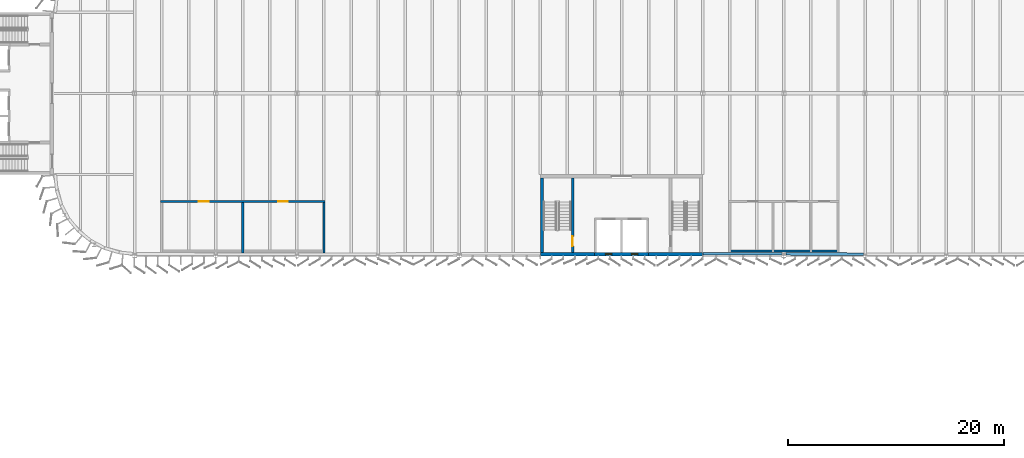
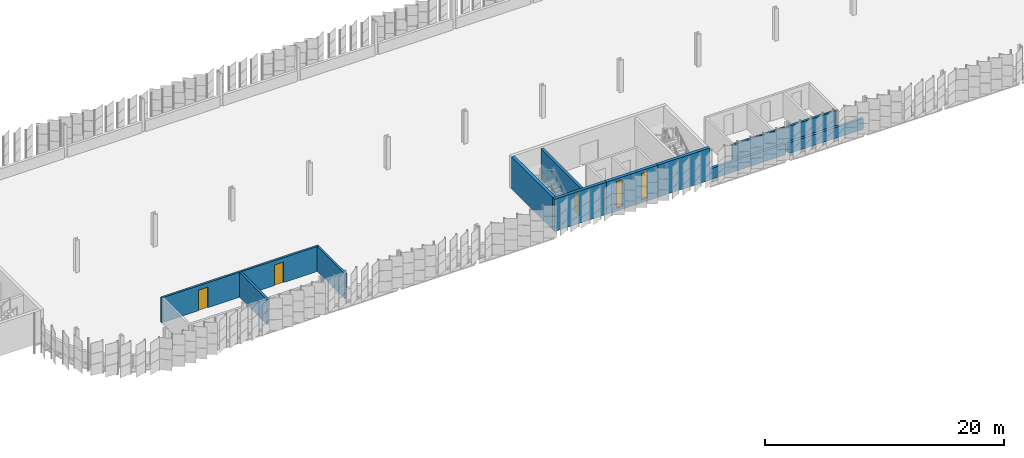
# One storey, part 69 of 214: 11 walls, 3 doors, 2 windows, 5 openings.
"""IFC4 building model written with IfcOpenShell, lengths in metres."""

from ifc_helpers import new_model, si_unit, direction, frame, frame_2d, origin, place, context, subcontext, project, spatial, rectangle, extrude, material, layer, layer_set, type_object, element, fill, save


model = new_model("IFC4")

# Units and contexts
model_context = context("Model", 3, precision=1e-05, world=origin(), true_north=direction((0.0, 1.0)))
body_context = subcontext(model_context, "Body", "Model", "MODEL_VIEW")
ifc_project = project(units=[si_unit("LENGTHUNIT", "METRE"), si_unit("AREAUNIT", "SQUARE_METRE"), si_unit("VOLUMEUNIT", "CUBIC_METRE"), si_unit("PLANEANGLEUNIT", "RADIAN"), si_unit("MASSUNIT", "GRAM", prefix="KILO")], contexts=[model_context])

# Site, building, storey
site_placement = place(None, origin())
site = spatial("IfcSite", under=ifc_project, at=site_placement, CompositionType="ELEMENT")
building_placement = place(site_placement, origin())
building = spatial("IfcBuilding", under=site, at=building_placement, Name="Parallax Yard Mobility Hub", CompositionType="ELEMENT")
storey_placement = place(building_placement, frame((0.0, 0.0, 3.300048828125)))
storey = spatial("IfcBuildingStorey", under=building, at=storey_placement, Name="L01", CompositionType="ELEMENT", Elevation=3.300048828125)

# Wall
ifc_material_1 = material(Name="Concrete fc' 35 MPa", Category="concrete")
ifc_layer_1 = layer(ifc_material_1, 0.300048828125)
ifc_layer_set_1 = layer_set([ifc_layer_1], Name="Concrete fc' 35 MPa core wall 300")
wall_type_1 = type_object("IfcWallType", Name="Concrete fc' 35 MPa core wall 300", PredefinedType="SHEAR", material=ifc_layer_set_1)
wall_1_placement = place(storey_placement, frame((82.5, 112.64990234375, 0.0), z_axis=(0.0, 0.0, 1.0), x_axis=(-1.0, 0.0, 0.0)))
element("IfcWall", 1, at=wall_1_placement, inside=storey, type_object=wall_type_1, Name="Core C-N1 back wall part 1 level L01", PredefinedType="SHEAR", context=body_context, shape_type="SweptSolid", body=[
    extrude(rectangle(XDim=5.0, YDim=0.300048828125, at=frame_2d((2.5, 0.0))), origin(), (0.0, 0.0, 1.0), 3.300048828125),
])

# Wall, openings, windows
wall_2_placement = place(storey_placement, frame((77.5, 112.64990234375, 0.0), z_axis=(0.0, 0.0, 1.0), x_axis=(-1.0, 0.0, 0.0)))
wall_2 = element("IfcWall", 2, at=wall_2_placement, inside=storey, type_object=wall_type_1, Name="Core C-N1 back wall part 2 level L01", PredefinedType="SHEAR", context=body_context, shape_type="SweptSolid", body=[
    extrude(rectangle(XDim=5.0, YDim=0.300048828125, at=frame_2d((2.5, 0.0))), origin(), (0.0, 0.0, 1.0), 3.300048828125),
])
opening_1_placement = place(wall_2_placement, frame((1.0, 0.0, 0.300048828125)))
opening_1 = element("IfcOpeningElement", 3, at=opening_1_placement, cuts=wall_2, Name="Opening CW-S1", PredefinedType="OPENING", context=body_context, shape_type="SweptSolid", body=[
    extrude(rectangle(XDim=0.60009765625, YDim=2.699951171875, at=frame_2d((0.300048828125, 1.35009765625))), frame((0.0, 0.16015625, 0.0), z_axis=(0.0, -1.0, 0.0), x_axis=(1.0, 0.0, 0.0)), (0.0, 0.0, 1.0), 0.320068359375),
])
opening_2_placement = place(wall_2_placement, frame((3.39990234375, 0.0, 0.300048828125)))
opening_2 = element("IfcOpeningElement", 4, at=opening_2_placement, cuts=wall_2, Name="Opening CW-S1", PredefinedType="OPENING", context=body_context, shape_type="SweptSolid", body=[
    extrude(rectangle(XDim=0.60009765625, YDim=2.699951171875, at=frame_2d((0.300048828125, 1.35009765625))), frame((0.0, 0.16015625, 0.0), z_axis=(0.0, -1.0, 0.0), x_axis=(1.0, 0.0, 0.0)), (0.0, 0.0, 1.0), 0.320068359375),
])
ifc_material_2 = material(Name="Fire-resisting glazing in a steel frame", Category="steel")
window_type = type_object("IfcWindowType", Name="Core slot window 600 x 2700", PartitioningType="SINGLE_PANEL", PredefinedType="WINDOW", material=ifc_material_2)
window_1_placement = place(opening_1_placement, origin())
window_1 = element("IfcWindow", 5, at=window_1_placement, inside=storey, type_object=window_type, Name="Glazed slot 1, core C-N1 level L01", OverallHeight=2.699951171875, OverallWidth=0.60009765625, PartitioningType="SINGLE_PANEL", PredefinedType="WINDOW", context=body_context, shape_type="SweptSolid", body=[
    extrude(rectangle(XDim=0.60009765625, YDim=2.699951171875, at=frame_2d((0.300048828125, 1.35009765625))), frame((0.0, 0.030029296875, 0.0), z_axis=(0.0, -1.0, 0.0), x_axis=(1.0, 0.0, 0.0)), (0.0, 0.0, 1.0), 0.06005859375),
])
fill(opening_1, window_1)
window_2_placement = place(opening_2_placement, origin())
window_2 = element("IfcWindow", 6, at=window_2_placement, inside=storey, type_object=window_type, Name="Glazed slot 2, core C-N1 level L01", OverallHeight=2.699951171875, OverallWidth=0.60009765625, PartitioningType="SINGLE_PANEL", PredefinedType="WINDOW", context=body_context, shape_type="SweptSolid", body=[
    extrude(rectangle(XDim=0.60009765625, YDim=2.699951171875, at=frame_2d((0.300048828125, 1.35009765625))), frame((0.0, 0.030029296875, 0.0), z_axis=(0.0, -1.0, 0.0), x_axis=(1.0, 0.0, 0.0)), (0.0, 0.0, 1.0), 0.06005859375),
])
fill(opening_2, window_2)

# Walls
wall_3_placement = place(storey_placement, frame((72.5, 112.64990234375, 0.0), z_axis=(0.0, 0.0, 1.0), x_axis=(-1.0, 0.0, 0.0)))
element("IfcWall", 7, at=wall_3_placement, inside=storey, type_object=wall_type_1, Name="Core C-N1 back wall part 3 level L01", PredefinedType="SHEAR", context=body_context, shape_type="SweptSolid", body=[
    extrude(rectangle(XDim=5.0, YDim=0.300048828125, at=frame_2d((2.5, 0.0))), origin(), (0.0, 0.0, 1.0), 3.300048828125),
])
wall_4_placement = place(storey_placement, frame((67.64990234375, 119.699951171875, 0.0), z_axis=(0.0, 0.0, 1.0), x_axis=(0.0, -1.0, 0.0)))
element("IfcWall", 8, at=wall_4_placement, inside=storey, type_object=wall_type_1, Name="Core C-N1 east-side end wall level L01", PredefinedType="SHEAR", context=body_context, shape_type="SweptSolid", body=[
    extrude(rectangle(XDim=6.89990234375, YDim=0.300048828125, at=frame_2d((3.449951171875, 0.0))), origin(), (0.0, 0.0, 1.0), 3.300048828125),
])

# Wall, opening, door
ifc_layer_2 = layer(ifc_material_1, 0.25)
ifc_layer_set_2 = layer_set([ifc_layer_2], Name="Concrete fc' 35 MPa stair enclosure wall 250")
wall_type_2 = type_object("IfcWallType", Name="Concrete fc' 35 MPa stair enclosure wall 250", PredefinedType="STANDARD", material=ifc_layer_set_2)
wall_5_placement = place(storey_placement, frame((70.47509765625, 112.800048828125, 0.0), z_axis=(0.0, 0.0, 1.0), x_axis=(0.0, 1.0, 0.0)))
wall_5 = element("IfcWall", 9, at=wall_5_placement, inside=storey, type_object=wall_type_2, Name="Core C-N1 stair 2 partition level L01", PredefinedType="STANDARD", context=body_context, shape_type="SweptSolid", body=[
    extrude(rectangle(XDim=6.89990234375, YDim=0.25, at=frame_2d((3.449951171875, 0.0))), origin(), (0.0, 0.0, 1.0), 3.099853515625),
])
opening_3_placement = place(wall_5_placement, frame((0.60009765625, 0.0, 0.0)))
opening_3 = element("IfcOpeningElement", 10, at=opening_3_placement, cuts=wall_5, Name="Opening L01-D711", PredefinedType="OPENING", context=body_context, shape_type="SweptSolid", body=[
    extrude(rectangle(XDim=0.89990234375, YDim=2.10009765625, at=frame_2d((0.449951171875, 1.050048828125))), frame((0.0, 0.135009765625, 0.0), z_axis=(0.0, -1.0, 0.0), x_axis=(1.0, 0.0, 0.0)), (0.0, 0.0, 1.0), 0.27001953125),
])
ifc_material_3 = material(Name="Hollow metal steel door and frame", Category="steel")
door_type_1 = type_object("IfcDoorType", Name="Core door 900 x 2100 FD90", OperationType="NOTDEFINED", PredefinedType="DOOR", material=ifc_material_3)
door_1_placement = place(opening_3_placement, origin())
door_1 = element("IfcDoor", 11, at=door_1_placement, inside=storey, type_object=door_type_1, Name="Stair lobby door L01-D711, core C-N1 level L01", OperationType="SINGLE_SWING_RIGHT", OverallHeight=2.10009765625, OverallWidth=0.89990234375, PredefinedType="DOOR", context=body_context, shape_type="SweptSolid", body=[
    extrude(rectangle(XDim=0.89990234375, YDim=2.10009765625, at=frame_2d((0.449951171875, 1.050048828125))), frame((0.0, 0.02490234375, 0.0), z_axis=(0.0, -1.0, 0.0), x_axis=(1.0, 0.0, 0.0)), (0.0, 0.0, 1.0), 0.050048828125),
])
fill(opening_3, door_1)

# Walls
ifc_layer_3 = layer(ifc_material_1, 0.25)
ifc_layer_set_3 = layer_set([ifc_layer_3], Name="Deck-edge barrier wall, Concrete fc' 35 MPa precast, 250")
wall_type_3 = type_object("IfcWallType", Name="Deck-edge barrier wall, Concrete fc' 35 MPa precast, 250", PredefinedType="SOLIDWALL", material=ifc_layer_set_3)
wall_6_placement = place(storey_placement, frame((82.5048828125, 112.67333984375, 0.0), z_axis=(0.0, 0.0, 1.0), x_axis=(1.0, 0.0, 0.0)))
element("IfcWall", 12, at=wall_6_placement, inside=storey, type_object=wall_type_3, Name="Deck-edge barrier wall bay 7 level L01", PredefinedType="SOLIDWALL", context=body_context, shape_type="SweptSolid", body=[
    extrude(rectangle(XDim=7.3095703125, YDim=0.25, at=frame_2d((3.65478515625, 0.0))), origin(), (0.0, 0.0, 1.0), 1.099853515625),
])
wall_7_placement = place(storey_placement, frame((90.185546875, 112.67333984375, 0.0), z_axis=(0.0, 0.0, 1.0), x_axis=(0.999993473402, -0.003612914829, 0.0)))
element("IfcWall", 13, at=wall_7_placement, inside=storey, type_object=wall_type_3, Name="Deck-edge barrier wall bay 8 level L01", PredefinedType="SOLIDWALL", context=body_context, shape_type="SweptSolid", body=[
    extrude(rectangle(XDim=7.162841796875, YDim=0.25, at=frame_2d((3.58154296875, 0.0))), origin(), (0.0, 0.0, 1.0), 1.099853515625),
])
ifc_material_4 = material(Name="Fire-rated plasterboard partition, two layers each side")
ifc_layer_4 = layer(ifc_material_4, 0.199951171875)
ifc_layer_set_4 = layer_set([ifc_layer_4], Name="Fire-rated partition 200 mm")
wall_type_4 = type_object("IfcWallType", Name="Fire-rated partition 200 mm", PredefinedType="PARTITIONING", material=ifc_layer_set_4)
wall_8_placement = place(storey_placement, frame((84.89990234375, 112.949951171875, 0.0), z_axis=(0.0, 0.0, 1.0), x_axis=(1.0, 0.0, 0.0)))
element("IfcWall", 14, at=wall_8_placement, inside=storey, type_object=wall_type_4, Name="Partition 36 level L01", PredefinedType="PARTITIONING", context=body_context, shape_type="SweptSolid", body=[
    extrude(rectangle(XDim=10.2001953125, YDim=0.199951171875, at=frame_2d((5.10009765625, 0.0))), origin(), (0.0, 0.0, 1.0), 2.5478515625),
])

# Wall, openings, doors
wall_9_placement = place(storey_placement, frame((32.39990234375, 117.5, 0.0), z_axis=(0.0, 0.0, 1.0), x_axis=(1.0, 0.0, 0.0)))
wall_9 = element("IfcWall", 15, at=wall_9_placement, inside=storey, type_object=wall_type_4, Name="Partition 38 level L01", PredefinedType="PARTITIONING", context=body_context, shape_type="SweptSolid", body=[
    extrude(rectangle(XDim=15.2001953125, YDim=0.199951171875, at=frame_2d((7.60009765625, 0.0))), origin(), (0.0, 0.0, 1.0), 2.5478515625),
])
opening_4_placement = place(wall_9_placement, frame((3.550048828125, 0.0, 0.0)))
opening_4 = element("IfcOpeningElement", 16, at=opening_4_placement, cuts=wall_9, Name="Opening L01-D224", PredefinedType="OPENING", context=body_context, shape_type="SweptSolid", body=[
    extrude(rectangle(XDim=0.89990234375, YDim=2.10009765625, at=frame_2d((0.449951171875, 1.050048828125))), frame((0.0, 0.10986328125, 0.0), z_axis=(0.0, -1.0, 0.0), x_axis=(1.0, 0.0, 0.0)), (0.0, 0.0, 1.0), 0.219970703125),
])
opening_5_placement = place(wall_9_placement, frame((10.875244140625, 0.0, 0.0)))
opening_5 = element("IfcOpeningElement", 17, at=opening_5_placement, cuts=wall_9, Name="Opening L01-D225", PredefinedType="OPENING", context=body_context, shape_type="SweptSolid", body=[
    extrude(rectangle(XDim=0.89990234375, YDim=2.10009765625, at=frame_2d((0.449951171875, 1.050048828125))), frame((0.0, 0.10986328125, 0.0), z_axis=(0.0, -1.0, 0.0), x_axis=(1.0, 0.0, 0.0)), (0.0, 0.0, 1.0), 0.219970703125),
])
ifc_material_5 = material(Name="Hollow metal fire door leaf with intumescent seals")
door_type_2 = type_object("IfcDoorType", Name="Fire door 900 mm FD60", OperationType="NOTDEFINED", PredefinedType="DOOR", material=ifc_material_5)
door_2_placement = place(opening_4_placement, origin())
door_2 = element("IfcDoor", 18, at=door_2_placement, inside=storey, type_object=door_type_2, Name="Door L01-D224 Refuse Room", OperationType="SINGLE_SWING_LEFT", OverallHeight=2.10009765625, OverallWidth=0.89990234375, PredefinedType="DOOR", context=body_context, shape_type="SweptSolid", body=[
    extrude(rectangle(XDim=0.89990234375, YDim=2.10009765625, at=frame_2d((0.449951171875, 1.050048828125))), frame((0.0, 0.02490234375, 0.0), z_axis=(0.0, -1.0, 0.0), x_axis=(1.0, 0.0, 0.0)), (0.0, 0.0, 1.0), 0.050048828125),
])
fill(opening_4, door_2)
door_3_placement = place(opening_5_placement, origin())
door_3 = element("IfcDoor", 19, at=door_3_placement, inside=storey, type_object=door_type_2, Name="Door L01-D225 Attendant Office", OperationType="SINGLE_SWING_RIGHT", OverallHeight=2.10009765625, OverallWidth=0.89990234375, PredefinedType="DOOR", context=body_context, shape_type="SweptSolid", body=[
    extrude(rectangle(XDim=0.89990234375, YDim=2.10009765625, at=frame_2d((0.449951171875, 1.050048828125))), frame((0.0, 0.02490234375, 0.0), z_axis=(0.0, -1.0, 0.0), x_axis=(1.0, 0.0, 0.0)), (0.0, 0.0, 1.0), 0.050048828125),
])
fill(opening_5, door_3)

# Walls
for number, where, z_axis, x_axis, name in (
    (20, (40.0, 112.7724609375, 0.0), (0.0, 0.0, 1.0), (0.0, 1.0, 0.0), "Partition 42 level L01"),
    (21, (47.5, 112.7724609375, 0.0), (0.0, 0.0, 1.0), (0.0, 1.0, 0.0), "Partition 43 level L01"),
):
    element("IfcWall", number, at=place(storey_placement, frame(where, z_axis=z_axis, x_axis=x_axis)), inside=storey, type_object=wall_type_4, Name=name, PredefinedType="PARTITIONING", context=body_context, shape_type="SweptSolid", body=[
        extrude(rectangle(XDim=4.62744140625, YDim=0.199951171875, at=frame_2d((2.313720703125, 0.0))), origin(), (0.0, 0.0, 1.0), 2.557861328125),
    ])

save(model, "model.ifc")
